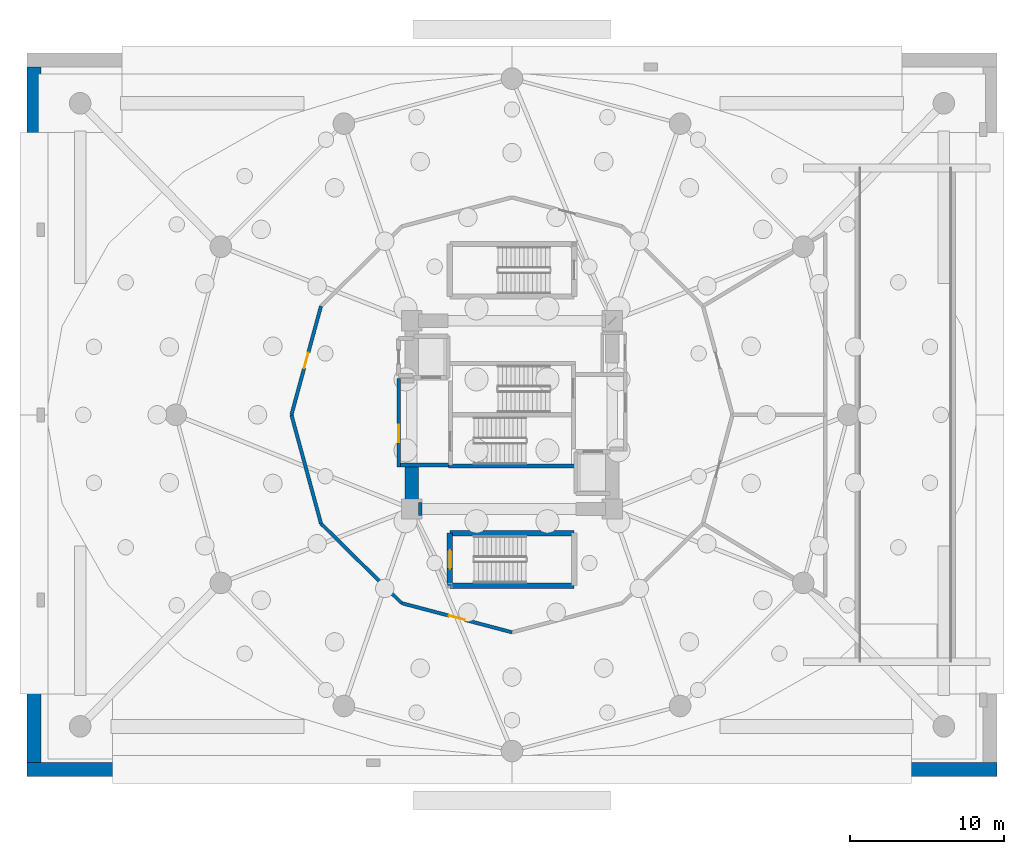
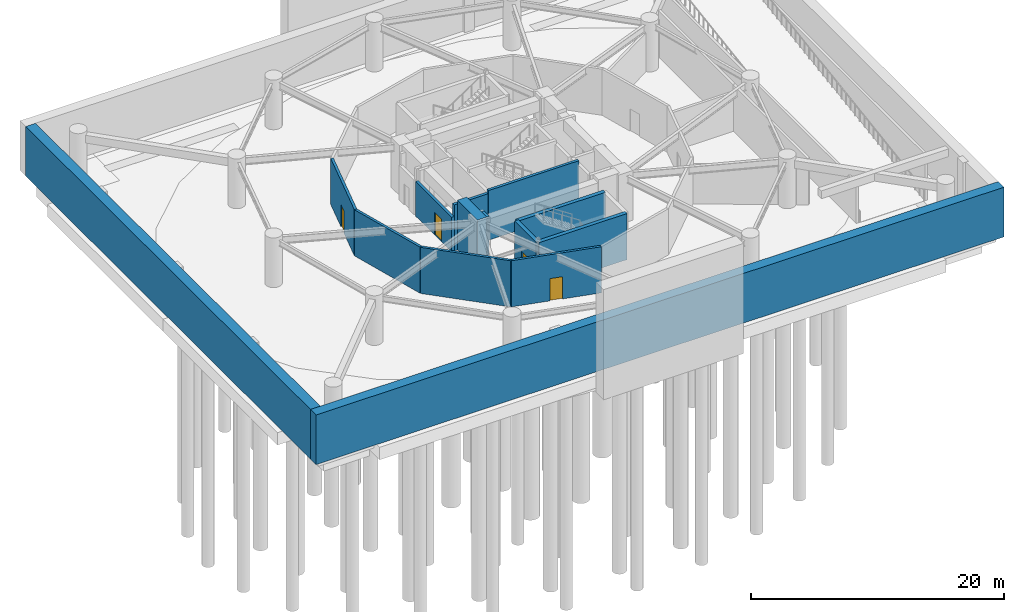
# One storey, part 7 of 12: 14 walls, 4 doors, 4 openings.
"""IFC4 building model written with IfcOpenShell, lengths in metres."""

from ifc_helpers import new_model, si_unit, direction, frame, frame_2d, origin, place, context, subcontext, project, spatial, rectangle, extrude, material, layer, layer_set, type_object, element, fill, save


model = new_model("IFC4")

# Units and contexts
model_context = context("Model", 3, precision=1e-05, world=origin(), true_north=direction((0.0, 1.0)))
body_context = subcontext(model_context, "Body", "Model", "MODEL_VIEW")
ifc_project = project(units=[si_unit("LENGTHUNIT", "METRE"), si_unit("AREAUNIT", "SQUARE_METRE"), si_unit("VOLUMEUNIT", "CUBIC_METRE"), si_unit("PLANEANGLEUNIT", "RADIAN"), si_unit("MASSUNIT", "GRAM", prefix="KILO")], contexts=[model_context])

# Site, building, storey
site_placement = place(None, origin())
site = spatial("IfcSite", under=ifc_project, at=site_placement, CompositionType="ELEMENT")
building_placement = place(site_placement, origin())
building = spatial("IfcBuilding", under=site, at=building_placement, Name="Solvirekh Grand Hotel", CompositionType="ELEMENT")
storey_placement = place(building_placement, frame((0.0, 0.0, -9.60009765625)))
storey = spatial("IfcBuildingStorey", under=building, at=storey_placement, Name="B02", CompositionType="ELEMENT", Elevation=-9.60009765625)

# Wall
ifc_material_1 = material(Name="Concrete C50/60", Category="concrete")
ifc_layer_1 = layer(ifc_material_1, 0.35009765625)
ifc_layer_set_1 = layer_set([ifc_layer_1], Name="Concrete C50/60")
wall_type_1 = type_object("IfcWallType", Name="CoreDivWall_RC350", PredefinedType="SOLIDWALL", material=ifc_layer_set_1)
wall_1_placement = place(storey_placement, frame((-4.1298828125, -3.324951171875, 0.0), z_axis=(0.0, 0.0, 1.0), x_axis=(1.0, 0.0, 0.0)))
element("IfcWall", 1, at=wall_1_placement, inside=storey, type_object=wall_type_1, Name="B02 core stair box wall ST-S", PredefinedType="SOLIDWALL", context=body_context, shape_type="SweptSolid", body=[
    extrude(rectangle(XDim=8.259765625, YDim=0.25, at=frame_2d((4.1298828125, 0.0))), origin(), (0.0, 0.0, 1.0), 4.800048828125),
])

# Wall, opening, door
wall_2_placement = place(storey_placement, frame((-4.02490234375, -11.074951171875, 0.0), z_axis=(0.0, 0.0, 1.0), x_axis=(0.0, 1.0, 0.0)))
wall_2 = element("IfcWall", 2, at=wall_2_placement, inside=storey, type_object=wall_type_1, Name="B02 podium stair ST-3 west landing wall", PredefinedType="SOLIDWALL", context=body_context, shape_type="SweptSolid", body=[
    extrude(rectangle(XDim=3.39990234375, YDim=0.35009765625, at=frame_2d((1.699951171875, 0.0))), origin(), (0.0, 0.0, 1.0), 4.460205078125),
])
opening_1_placement = place(wall_2_placement, frame((1.10009765625, 0.0, 0.0)))
opening_1 = element("IfcOpeningElement", 3, at=opening_1_placement, cuts=wall_2, Name="Opening D05", PredefinedType="OPENING", context=body_context, shape_type="SweptSolid", body=[
    extrude(rectangle(XDim=1.199951171875, YDim=2.199951171875, at=frame_2d((0.60009765625, 1.10009765625))), frame((0.0, 0.18505859375, 0.0), z_axis=(0.0, -1.0, 0.0), x_axis=(1.0, 0.0, 0.0)), (0.0, 0.0, 1.0), 0.3701171875),
])
ifc_material_2 = material(Name="Fire-Rated Steel Door Assembly", Category="steel")
door_type_1 = type_object("IfcDoorType", Name="Door_StairCore_1200X2200", OperationType="NOTDEFINED", PredefinedType="DOOR", material=ifc_material_2)
door_1_placement = place(opening_1_placement, origin())
door_1 = element("IfcDoor", 4, at=door_1_placement, inside=storey, type_object=door_type_1, Name="B02 podium stair ST-3 fire door", OperationType="SINGLE_SWING_LEFT", OverallHeight=2.199951171875, OverallWidth=1.199951171875, PredefinedType="DOOR", context=body_context, shape_type="SweptSolid", body=[
    extrude(rectangle(XDim=1.199951171875, YDim=2.199951171875, at=frame_2d((0.60009765625, 1.10009765625))), frame((0.0, 0.02490234375, 0.0), z_axis=(0.0, -1.0, 0.0), x_axis=(1.0, 0.0, 0.0)), (0.0, 0.0, 1.0), 0.050048828125),
])
fill(opening_1, door_1)

# Walls
for number, where, z_axis, x_axis, name in (
    (5, (-4.02490234375, -11.074951171875, 0.0), (0.0, 0.0, 1.0), (1.0, 0.0, 0.0), "B02 podium stair ST-3 S enclosure wall"),
    (6, (4.02490234375, -7.675048828125, 0.0), (0.0, 0.0, 1.0), (-1.0, 0.0, 0.0), "B02 podium stair ST-3 N enclosure wall"),
):
    element("IfcWall", number, at=place(storey_placement, frame(where, z_axis=z_axis, x_axis=x_axis)), inside=storey, type_object=wall_type_1, Name=name, PredefinedType="SOLIDWALL", context=body_context, shape_type="SweptSolid", body=[
        extrude(rectangle(XDim=8.0498046875, YDim=0.35009765625, at=frame_2d((4.02490234375, 0.0))), origin(), (0.0, 0.0, 1.0), 4.460205078125),
    ])
ifc_material_3 = material(Name="Concrete C60/75", Category="concrete")
ifc_layer_2 = layer(ifc_material_3, 0.85009765625)
ifc_layer_set_2 = layer_set([ifc_layer_2], Name="Concrete C60/75")
wall_type_2 = type_object("IfcWallType", Name="CoreWall_RC850", PredefinedType="SHEAR", material=ifc_layer_set_2)
wall_3_placement = place(storey_placement, frame((-6.074951171875, -6.10009765625, 0.0), z_axis=(0.0, 0.0, 1.0), x_axis=(1.0, 0.0, 0.0)))
element("IfcWall", 7, at=wall_3_placement, inside=storey, type_object=wall_type_2, Name="B02 core corner shear wall SW-S", PredefinedType="SHEAR", context=body_context, shape_type="SweptSolid", body=[
    extrude(rectangle(XDim=0.224853515625, YDim=0.85009765625, at=frame_2d((0.1123046875, 0.0))), origin(), (0.0, 0.0, 1.0), 4.800048828125),
])
wall_4_placement = place(storey_placement, frame((-6.5, -6.52490234375, 0.0), z_axis=(0.0, 0.0, 1.0), x_axis=(0.0, 1.0, 0.0)))
element("IfcWall", 8, at=wall_4_placement, inside=storey, type_object=wall_type_2, Name="B02 core corner shear wall WS-W", PredefinedType="SHEAR", context=body_context, shape_type="SweptSolid", body=[
    extrude(rectangle(XDim=3.1748046875, YDim=0.85009765625, at=frame_2d((1.58740234375, 0.0))), origin(), (0.0, 0.0, 1.0), 4.800048828125),
])

# Wall, opening, door
ifc_material_4 = material(Name="Acoustic Gypsum Partition Assembly")
ifc_layer_3 = layer(ifc_material_4, 0.239990234375)
ifc_layer_set_3 = layer_set([ifc_layer_3], Name="Acoustic Gypsum Partition Assembly")
wall_type_3 = type_object("IfcWallType", Name="Part_Corridor_240", PredefinedType="PARTITIONING", material=ifc_layer_set_3)
wall_5_placement = place(storey_placement, frame((-7.35009765625, -3.3798828125, 0.0), z_axis=(0.0, 0.0, 1.0), x_axis=(0.0, 1.0, 0.0)))
wall_5 = element("IfcWall", 9, at=wall_5_placement, inside=storey, type_object=wall_type_3, Name="B02 west firefighting lobby smoke screen wall", PredefinedType="PARTITIONING", context=body_context, shape_type="SweptSolid", body=[
    extrude(rectangle(XDim=5.719970703125, YDim=0.239990234375, at=frame_2d((2.85986328125, 0.0))), origin(), (0.0, 0.0, 1.0), 3.34521484375),
])
opening_2_placement = place(wall_5_placement, frame((1.59912109375, 0.0, 0.0)))
opening_2 = element("IfcOpeningElement", 10, at=opening_2_placement, cuts=wall_5, Name="Opening D06", PredefinedType="OPENING", context=body_context, shape_type="SweptSolid", body=[
    extrude(rectangle(XDim=1.14990234375, YDim=2.199951171875, at=frame_2d((0.574951171875, 1.10009765625))), frame((0.0, 0.1298828125, 0.0), z_axis=(0.0, -1.0, 0.0), x_axis=(1.0, 0.0, 0.0)), (0.0, 0.0, 1.0), 0.260009765625),
])
door_type_2 = type_object("IfcDoorType", Name="Door_FFLobby_1150X2200", OperationType="NOTDEFINED", PredefinedType="DOOR", material=ifc_material_2)
door_2_placement = place(opening_2_placement, origin())
door_2 = element("IfcDoor", 11, at=door_2_placement, inside=storey, type_object=door_type_2, Name="B02 west firefighting lobby smoke door", OperationType="SINGLE_SWING_LEFT", OverallHeight=2.199951171875, OverallWidth=1.14990234375, PredefinedType="DOOR", context=body_context, shape_type="SweptSolid", body=[
    extrude(rectangle(XDim=1.14990234375, YDim=2.199951171875, at=frame_2d((0.574951171875, 1.10009765625))), frame((0.0, 0.02490234375, 0.0), z_axis=(0.0, -1.0, 0.0), x_axis=(1.0, 0.0, 0.0)), (0.0, 0.0, 1.0), 0.050048828125),
])
fill(opening_2, door_2)

# Wall
ifc_layer_4 = layer(ifc_material_4, 0.260009765625)
ifc_layer_set_4 = layer_set([ifc_layer_4], Name="Acoustic Gypsum Partition Assembly")
wall_type_4 = type_object("IfcWallType", Name="Part_LobbyFF_260", PredefinedType="PARTITIONING", material=ifc_layer_set_4)
wall_6_placement = place(storey_placement, frame((-7.22509765625, -3.25, 0.0), z_axis=(0.0, 0.0, 1.0), x_axis=(1.0, 0.0, 0.0)))
element("IfcWall", 12, at=wall_6_placement, inside=storey, type_object=wall_type_4, Name="B02 west firefighting lobby south partition", PredefinedType="PARTITIONING", context=body_context, shape_type="SweptSolid", body=[
    extrude(rectangle(XDim=3.09521484375, YDim=0.260009765625, at=frame_2d((1.547607421875, 0.0))), origin(), (0.0, 0.0, 1.0), 4.460205078125),
])

# Wall, opening, door
ifc_material_5 = material(Name="Precast concrete C45/55", Category="concrete")
ifc_layer_5 = layer(ifc_material_5, 0.22509765625)
ifc_layer_set_5 = layer_set([ifc_layer_5], Name="Precast concrete C45/55")
wall_type_5 = type_object("IfcWallType", Name="Part_Plant_225", PredefinedType="PARTITIONING", material=ifc_layer_set_5)
wall_7_placement = place(storey_placement, frame((-12.384033203125, 7.050048828125, 0.0), z_axis=(0.0, 0.0, 1.0), x_axis=(-0.262260528785, -0.964997106235, 0.0)))
wall_7 = element("IfcWall", 13, at=wall_7_placement, inside=storey, type_object=wall_type_5, Name="B02 B02 West Car Park Aisle & Stalls entry wall", PredefinedType="PARTITIONING", context=body_context, shape_type="SweptSolid", body=[
    extrude(rectangle(XDim=7.3056640625, YDim=0.22509765625, at=frame_2d((3.65283203125, 0.0))), origin(), (0.0, 0.0, 1.0), 4.460205078125),
])
opening_3_placement = place(wall_7_placement, frame((3.1279296875, 0.0, 0.0)))
opening_3 = element("IfcOpeningElement", 14, at=opening_3_placement, cuts=wall_7, Name="Opening D12", PredefinedType="OPENING", context=body_context, shape_type="SweptSolid", body=[
    extrude(rectangle(XDim=1.050048828125, YDim=2.14990234375, at=frame_2d((0.52490234375, 1.074951171875))), frame((0.0, 0.12255859375, 0.0), z_axis=(0.0, -1.0, 0.0), x_axis=(1.0, 0.0, 0.0)), (0.0, 0.0, 1.0), 0.2451171875),
])
door_type_3 = type_object("IfcDoorType", Name="Door_PlantBOH_1050X2150", OperationType="NOTDEFINED", PredefinedType="DOOR", material=ifc_material_2)
door_3_placement = place(opening_3_placement, origin())
door_3 = element("IfcDoor", 15, at=door_3_placement, inside=storey, type_object=door_type_3, Name="B02 B02 West Car Park Aisle & Stalls door", OperationType="SINGLE_SWING_RIGHT", OverallHeight=2.14990234375, OverallWidth=1.050048828125, PredefinedType="DOOR", context=body_context, shape_type="SweptSolid", body=[
    extrude(rectangle(XDim=1.050048828125, YDim=2.14990234375, at=frame_2d((0.52490234375, 1.074951171875))), frame((0.0, 0.02490234375, 0.0), z_axis=(0.0, -1.0, 0.0), x_axis=(1.0, 0.0, 0.0)), (0.0, 0.0, 1.0), 0.050048828125),
])
fill(opening_3, door_3)

# Wall
wall_8_placement = place(storey_placement, frame((-14.300048828125, 0.0, 0.0), z_axis=(0.0, 0.0, 1.0), x_axis=(0.262260528785, -0.964997106235, 0.0)))
element("IfcWall", 16, at=wall_8_placement, inside=storey, type_object=wall_type_5, Name="B02 B02 West Car Park Aisle & Stalls corridor fire wall 1", PredefinedType="PARTITIONING", context=body_context, shape_type="SweptSolid", body=[
    extrude(rectangle(XDim=7.3056640625, YDim=0.22509765625, at=frame_2d((3.65283203125, 0.0))), origin(), (0.0, 0.0, 1.0), 4.460205078125),
])

# Wall, opening, door
wall_9_placement = place(storey_placement, frame((-7.14990234375, -12.2109375, 0.0), z_axis=(0.0, 0.0, 1.0), x_axis=(0.966820901533, -0.255455170937, 0.0)))
wall_9 = element("IfcWall", 17, at=wall_9_placement, inside=storey, type_object=wall_type_5, Name="B02 B02 South Car Park & Charging Bays entry wall", PredefinedType="PARTITIONING", context=body_context, shape_type="SweptSolid", body=[
    extrude(rectangle(XDim=7.395263671875, YDim=0.22509765625, at=frame_2d((3.69775390625, 0.0))), origin(), (0.0, 0.0, 1.0), 4.460205078125),
])
opening_4_placement = place(wall_9_placement, frame((3.173095703125, 0.0, 0.0)))
opening_4 = element("IfcOpeningElement", 18, at=opening_4_placement, cuts=wall_9, Name="Opening D12", PredefinedType="OPENING", context=body_context, shape_type="SweptSolid", body=[
    extrude(rectangle(XDim=1.050048828125, YDim=2.14990234375, at=frame_2d((0.52490234375, 1.074951171875))), frame((0.0, 0.12255859375, 0.0), z_axis=(0.0, -1.0, 0.0), x_axis=(1.0, 0.0, 0.0)), (0.0, 0.0, 1.0), 0.2451171875),
])
door_4_placement = place(opening_4_placement, origin())
door_4 = element("IfcDoor", 19, at=door_4_placement, inside=storey, type_object=door_type_3, Name="B02 B02 South Car Park & Charging Bays door", OperationType="SINGLE_SWING_LEFT", OverallHeight=2.14990234375, OverallWidth=1.050048828125, PredefinedType="DOOR", context=body_context, shape_type="SweptSolid", body=[
    extrude(rectangle(XDim=1.050048828125, YDim=2.14990234375, at=frame_2d((0.52490234375, 1.074951171875))), frame((0.0, 0.02490234375, 0.0), z_axis=(0.0, -1.0, 0.0), x_axis=(1.0, 0.0, 0.0)), (0.0, 0.0, 1.0), 0.050048828125),
])
fill(opening_4, door_4)

# Walls
wall_10_placement = place(storey_placement, frame((-12.384033203125, -7.050048828125, 0.0), z_axis=(0.0, 0.0, 1.0), x_axis=(0.712071304345, -0.702107155303, 0.0)))
element("IfcWall", 20, at=wall_10_placement, inside=storey, type_object=wall_type_5, Name="B02 B02 South Car Park & Charging Bays corridor fire wall 1", PredefinedType="PARTITIONING", context=body_context, shape_type="SweptSolid", body=[
    extrude(rectangle(XDim=7.3505859375, YDim=0.22509765625, at=frame_2d((3.67529296875, 0.0))), origin(), (0.0, 0.0, 1.0), 4.460205078125),
])
ifc_layer_6 = layer(ifc_material_1, 0.89990234375)
ifc_layer_set_6 = layer_set([ifc_layer_6], Name="Concrete C50/60")
wall_type_6 = type_object("IfcWallType", Name="RetainingWall_RC900", PredefinedType="SHEAR", material=ifc_layer_set_6)
wall_11_placement = place(storey_placement, frame((-31.449951171875, -23.0, 0.0), z_axis=(0.0, 0.0, 1.0), x_axis=(1.0, 0.0, 0.0)))
element("IfcWall", 21, at=wall_11_placement, inside=storey, type_object=wall_type_6, Name="B02 S perimeter retaining wall", PredefinedType="SHEAR", context=body_context, shape_type="SweptSolid", body=[
    extrude(rectangle(XDim=62.89990234375, YDim=0.89990234375, at=frame_2d((31.449951171875, 0.0))), origin(), (0.0, 0.0, 1.0), 4.800048828125),
])
wall_12_placement = place(storey_placement, frame((-31.0, 22.550048828125, 0.0), z_axis=(0.0, 0.0, 1.0), x_axis=(0.0, -1.0, 0.0)))
element("IfcWall", 22, at=wall_12_placement, inside=storey, type_object=wall_type_6, Name="B02 W perimeter retaining wall", PredefinedType="SHEAR", context=body_context, shape_type="SweptSolid", body=[
    extrude(rectangle(XDim=45.10009765625, YDim=0.89990234375, at=frame_2d((22.550048828125, 0.0))), origin(), (0.0, 0.0, 1.0), 4.800048828125),
])

save(model, "model.ifc")
